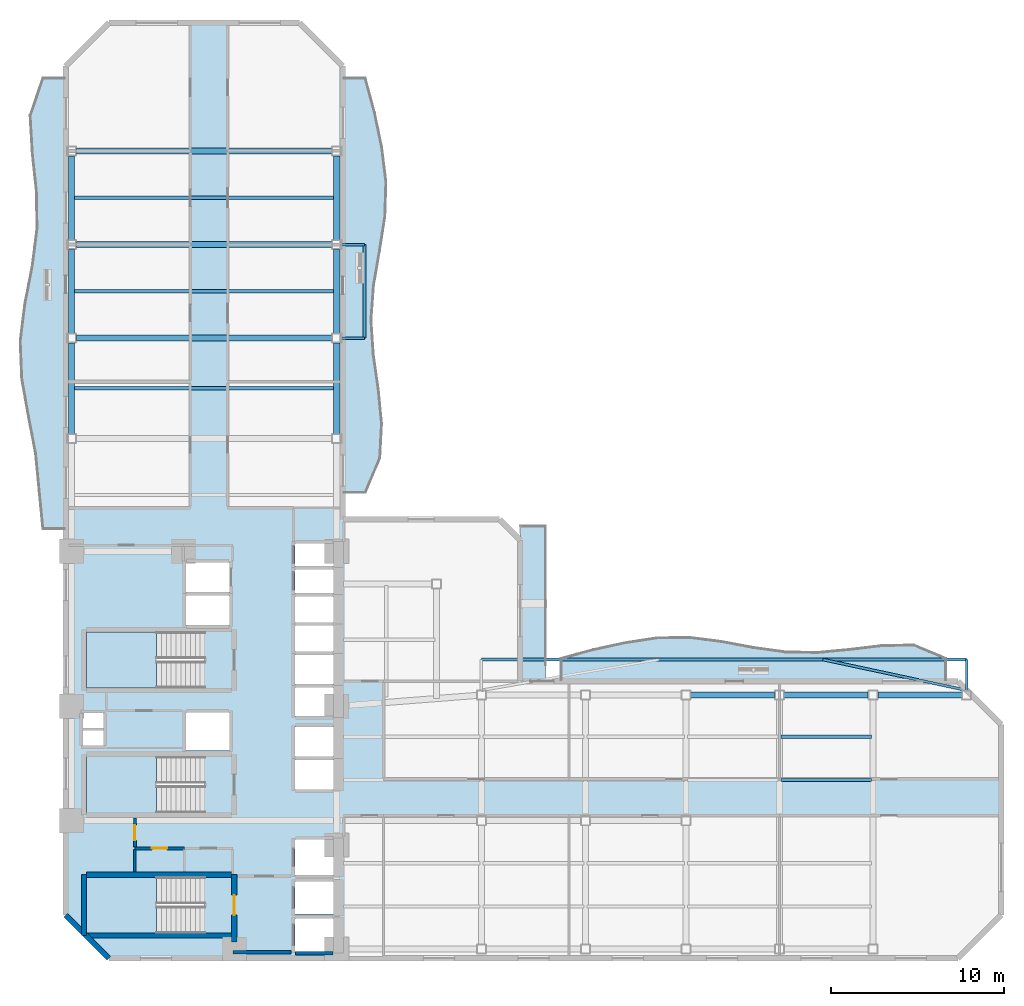
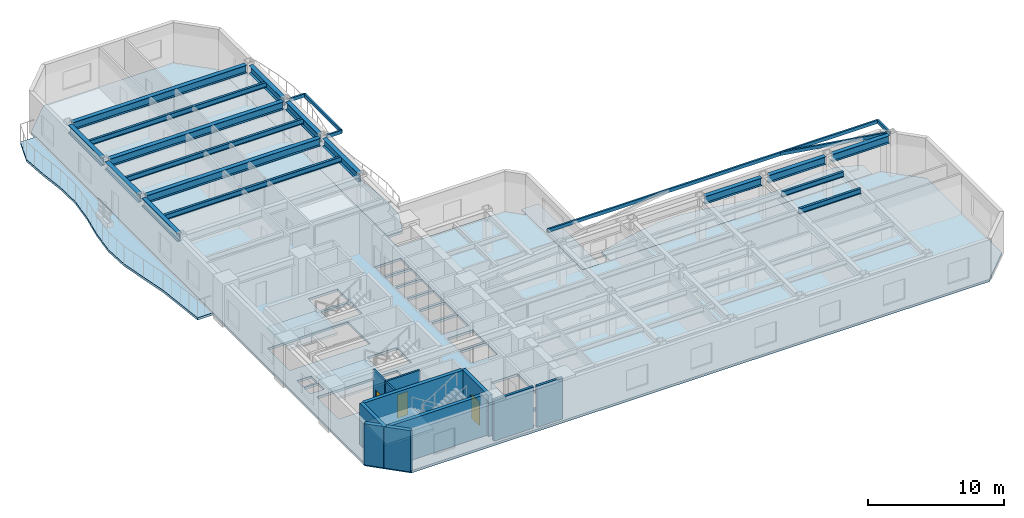
# One storey, part 2 of 11: 23 beams, 10 walls, 8 slabs, 3 doors, 3 openings, 3 elements without a shape of their own.
"""IFC4 building model written with IfcOpenShell, lengths in metres."""

from ifc_helpers import new_model, si_unit, direction, frame, frame_2d, origin, origin_2d, place, context, subcontext, project, spatial, polyline, rectangle, hollow_rectangle, i_section, outline, extrude, material, layer, layer_set, material_profile, profile_set, type_object, element, fill, aggregate, save


model = new_model("IFC4")

# Units and contexts
model_context = context("Model", 3, precision=1e-05, world=origin(), true_north=direction((0.0, 1.0)))
body_context = subcontext(model_context, "Body", "Model", "MODEL_VIEW")
ifc_project = project(units=[si_unit("LENGTHUNIT", "METRE"), si_unit("AREAUNIT", "SQUARE_METRE"), si_unit("VOLUMEUNIT", "CUBIC_METRE"), si_unit("PLANEANGLEUNIT", "RADIAN"), si_unit("MASSUNIT", "GRAM", prefix="KILO")], contexts=[model_context])

# Site, building, storey
site_placement = place(None, origin())
site = spatial("IfcSite", under=ifc_project, at=site_placement, CompositionType="ELEMENT")
building_placement = place(site_placement, origin())
building = spatial("IfcBuilding", under=site, at=building_placement, Name="Mawjaban Terraces University", CompositionType="ELEMENT")
storey_placement = place(building_placement, frame((0.0, 0.0, 77.800048828125)))
storey = spatial("IfcBuildingStorey", under=building, at=storey_placement, Name="L18", CompositionType="ELEMENT", Elevation=77.800048828125)

# Beams
ifc_material_1 = material(Name="Steel EN 10210-1 S355J2H", Category="steel")
ifc_material_profile_1 = material_profile(ifc_material_1, hollow_rectangle(XDim=0.14990234375, YDim=0.300048828125, WallThickness=0.012451171875, at=origin_2d()), Name="RHS300X150X12.5")
ifc_profile_set_1 = profile_set([ifc_material_profile_1], Name="Steel EN 10210-1 S355J2H")
beam_type_1 = type_object("IfcBeamType", Name="BalconyCantileverSpandrel_RHS", PredefinedType="SPANDREL", material=ifc_profile_set_1)
beam_1_placement = place(storey_placement, frame((74.0, 15.47509765625, 3.5400390625), z_axis=(0.0, 1.0, 0.0), x_axis=(-1.0, 0.0, 0.0)))
element("IfcBeam", 1, at=beam_1_placement, inside=storey, type_object=beam_type_1, Name="L18 Exterior Outrigger BAL-L19-N.2", PredefinedType="SPANDREL", context=body_context, shape_type="SweptSolid", body=[
    extrude(hollow_rectangle(XDim=0.14990234375, YDim=0.300048828125, WallThickness=0.012451171875, at=origin_2d()), origin(), (0.0, 0.0, 1.0), 1.77490234375),
])
beam_2_placement = place(storey_placement, frame((46.0, 17.25, 3.5400390625), z_axis=(1.0, 0.0, 0.0), x_axis=(0.0, 1.0, 0.0)))
element("IfcBeam", 2, at=beam_2_placement, inside=storey, type_object=beam_type_1, Name="L18 Exterior Edge Spandrel BAL-L19-N", PredefinedType="SPANDREL", context=body_context, shape_type="SweptSolid", body=[
    extrude(hollow_rectangle(XDim=0.14990234375, YDim=0.300048828125, WallThickness=0.012451171875, at=origin_2d()), origin(), (0.0, 0.0, 1.0), 28.0),
])
beam_3_placement = place(storey_placement, frame((74.0, 15.47509765625, 3.5400390625), z_axis=(-0.977864706332, 0.209238180334, 0.0), x_axis=(-0.209238180334, -0.977864706332, 0.0)))
element("IfcBeam", 3, at=beam_3_placement, inside=storey, type_object=beam_type_1, Name="L18 Exterior Diagonal Strut BAL-L19-N.2", PredefinedType="SPANDREL", context=body_context, shape_type="SweptSolid", body=[
    extrude(hollow_rectangle(XDim=0.14990234375, YDim=0.300048828125, WallThickness=0.012451171875, at=origin_2d()), origin(), (0.0, 0.0, 1.0), 8.482666015625),
])
for number, where, z_axis, x_axis, name in (
    (4, (37.925048828125, 35.800048828125, 3.5400390625), (1.0, 0.0, 0.0), (0.0, 1.0, 0.0), "L18 Exterior Outrigger BAL-L19-E.1"),
    (5, (37.925048828125, 41.199951171875, 3.5400390625), (1.0, 0.0, 0.0), (0.0, 1.0, 0.0), "L18 Exterior Outrigger BAL-L19-E.2"),
):
    element("IfcBeam", number, at=place(storey_placement, frame(where, z_axis=z_axis, x_axis=x_axis)), inside=storey, type_object=beam_type_1, Name=name, PredefinedType="SPANDREL", context=body_context, shape_type="SweptSolid", body=[
        extrude(hollow_rectangle(XDim=0.14990234375, YDim=0.300048828125, WallThickness=0.012451171875, at=origin_2d()), origin(), (0.0, 0.0, 1.0), 1.324951171875),
    ])
beam_4_placement = place(storey_placement, frame((39.25, 35.800048828125, 3.5400390625), z_axis=(0.0, 1.0, 0.0), x_axis=(-1.0, 0.0, 0.0)))
element("IfcBeam", 6, at=beam_4_placement, inside=storey, type_object=beam_type_1, Name="L18 Exterior Edge Spandrel BAL-L19-E", PredefinedType="SPANDREL", context=body_context, shape_type="SweptSolid", body=[
    extrude(hollow_rectangle(XDim=0.14990234375, YDim=0.300048828125, WallThickness=0.012451171875, at=origin_2d()), origin(), (0.0, 0.0, 1.0), 5.39990234375),
])
ifc_material_2 = material(Name="Steel ASTM A572 Grade 50", Category="steel")
ifc_material_profile_2 = material_profile(ifc_material_2, i_section(OverallWidth=0.35498046875, OverallDepth=0.695068359375, WebThickness=0.015380859375, FlangeThickness=0.02490234375, at=origin_2d()), Name="W690X217")
ifc_profile_set_2 = profile_set([ifc_material_profile_2], Name="Steel ASTM A572 Grade 50")
beam_type_2 = type_object("IfcBeamType", Name="Beam_B_W690X217", PredefinedType="BEAM", material=ifc_profile_set_2)
beam_5_placement = place(storey_placement, frame((58.074951171875, 15.199951171875, 3.342041015625), z_axis=(1.0, 0.0, 0.0), x_axis=(0.0, 1.0, 0.0)))
element("IfcBeam", 7, at=beam_5_placement, inside=storey, type_object=beam_type_2, Name="L18 Beam BM-L18-EW-11", PredefinedType="BEAM", context=body_context, shape_type="SweptSolid", body=[
    extrude(i_section(OverallWidth=0.35498046875, OverallDepth=0.695068359375, WebThickness=0.015380859375, FlangeThickness=0.02490234375, at=origin_2d()), origin(), (0.0, 0.0, 1.0), 4.85009765625),
])
beam_6_placement = place(storey_placement, frame((63.47509765625, 15.199951171875, 3.342041015625), z_axis=(1.0, 0.0, 0.0), x_axis=(0.0, 1.0, 0.0)))
element("IfcBeam", 8, at=beam_6_placement, inside=storey, type_object=beam_type_2, Name="L18 Beam BM-L18-EW-12", PredefinedType="BEAM", context=body_context, shape_type="SweptSolid", body=[
    extrude(i_section(OverallWidth=0.35498046875, OverallDepth=0.695068359375, WebThickness=0.015380859375, FlangeThickness=0.02490234375, at=origin_2d()), origin(), (0.0, 0.0, 1.0), 4.849853515625),
])
beam_7_placement = place(storey_placement, frame((68.875, 15.199951171875, 3.342041015625), z_axis=(1.0, 0.0, 0.0), x_axis=(0.0, 1.0, 0.0)))
element("IfcBeam", 9, at=beam_7_placement, inside=storey, type_object=beam_type_2, Name="L18 Beam BM-L18-EW-13", PredefinedType="BEAM", context=body_context, shape_type="SweptSolid", body=[
    extrude(i_section(OverallWidth=0.35498046875, OverallDepth=0.695068359375, WebThickness=0.015380859375, FlangeThickness=0.02490234375, at=origin_2d()), origin(), (0.0, 0.0, 1.0), 4.85009765625),
])
for number, where, z_axis, x_axis, name in (
    (10, (22.625, 35.800048828125, 3.342041015625), (1.0, 0.0, 0.0), (0.0, 1.0, 0.0), "L18 Beam BM-L18-EW-16"),
    (11, (22.625, 41.199951171875, 3.342041015625), (1.0, 0.0, 0.0), (0.0, 1.0, 0.0), "L18 Beam BM-L18-EW-17"),
    (12, (22.625, 46.60009765625, 3.342041015625), (1.0, 0.0, 0.0), (0.0, 1.0, 0.0), "L18 Beam BM-L18-EW-18"),
):
    element("IfcBeam", number, at=place(storey_placement, frame(where, z_axis=z_axis, x_axis=x_axis)), inside=storey, type_object=beam_type_2, Name=name, PredefinedType="BEAM", context=body_context, shape_type="SweptSolid", body=[
        extrude(i_section(OverallWidth=0.35498046875, OverallDepth=0.695068359375, WebThickness=0.015380859375, FlangeThickness=0.02490234375, at=origin_2d()), origin(), (0.0, 0.0, 1.0), 14.75),
    ])
beam_8_placement = place(storey_placement, frame((22.35009765625, 30.27490234375, 3.342041015625), z_axis=(0.0, 1.0, 0.0), x_axis=(-1.0, 0.0, 0.0)))
element("IfcBeam", 13, at=beam_8_placement, inside=storey, type_object=beam_type_2, Name="L18 Beam BM-L18-NS-04", PredefinedType="BEAM", context=body_context, shape_type="SweptSolid", body=[
    extrude(i_section(OverallWidth=0.35498046875, OverallDepth=0.695068359375, WebThickness=0.015380859375, FlangeThickness=0.02490234375, at=origin_2d()), origin(), (0.0, 0.0, 1.0), 5.25),
])
beam_9_placement = place(storey_placement, frame((22.35009765625, 36.074951171875, 3.342041015625), z_axis=(0.0, 1.0, 0.0), x_axis=(-1.0, 0.0, 0.0)))
element("IfcBeam", 14, at=beam_9_placement, inside=storey, type_object=beam_type_2, Name="L18 Beam BM-L18-NS-05", PredefinedType="BEAM", context=body_context, shape_type="SweptSolid", body=[
    extrude(i_section(OverallWidth=0.35498046875, OverallDepth=0.695068359375, WebThickness=0.015380859375, FlangeThickness=0.02490234375, at=origin_2d()), origin(), (0.0, 0.0, 1.0), 4.85009765625),
])
beam_10_placement = place(storey_placement, frame((22.35009765625, 41.47509765625, 3.342041015625), z_axis=(0.0, 1.0, 0.0), x_axis=(-1.0, 0.0, 0.0)))
element("IfcBeam", 15, at=beam_10_placement, inside=storey, type_object=beam_type_2, Name="L18 Beam BM-L18-NS-06", PredefinedType="BEAM", context=body_context, shape_type="SweptSolid", body=[
    extrude(i_section(OverallWidth=0.35498046875, OverallDepth=0.695068359375, WebThickness=0.015380859375, FlangeThickness=0.02490234375, at=origin_2d()), origin(), (0.0, 0.0, 1.0), 4.849853515625),
])
beam_11_placement = place(storey_placement, frame((37.64990234375, 30.27490234375, 3.342041015625), z_axis=(0.0, 1.0, 0.0), x_axis=(-1.0, 0.0, 0.0)))
element("IfcBeam", 16, at=beam_11_placement, inside=storey, type_object=beam_type_2, Name="L18 Beam BM-L18-NS-11", PredefinedType="BEAM", context=body_context, shape_type="SweptSolid", body=[
    extrude(i_section(OverallWidth=0.35498046875, OverallDepth=0.695068359375, WebThickness=0.015380859375, FlangeThickness=0.02490234375, at=origin_2d()), origin(), (0.0, 0.0, 1.0), 5.25),
])
beam_12_placement = place(storey_placement, frame((37.64990234375, 36.074951171875, 3.342041015625), z_axis=(0.0, 1.0, 0.0), x_axis=(-1.0, 0.0, 0.0)))
element("IfcBeam", 17, at=beam_12_placement, inside=storey, type_object=beam_type_2, Name="L18 Beam BM-L18-NS-12", PredefinedType="BEAM", context=body_context, shape_type="SweptSolid", body=[
    extrude(i_section(OverallWidth=0.35498046875, OverallDepth=0.695068359375, WebThickness=0.015380859375, FlangeThickness=0.02490234375, at=origin_2d()), origin(), (0.0, 0.0, 1.0), 4.85009765625),
])
beam_13_placement = place(storey_placement, frame((37.64990234375, 41.47509765625, 3.342041015625), z_axis=(0.0, 1.0, 0.0), x_axis=(-1.0, 0.0, 0.0)))
element("IfcBeam", 18, at=beam_13_placement, inside=storey, type_object=beam_type_2, Name="L18 Beam BM-L18-NS-13", PredefinedType="BEAM", context=body_context, shape_type="SweptSolid", body=[
    extrude(i_section(OverallWidth=0.35498046875, OverallDepth=0.695068359375, WebThickness=0.015380859375, FlangeThickness=0.02490234375, at=origin_2d()), origin(), (0.0, 0.0, 1.0), 4.849853515625),
])
ifc_material_profile_3 = material_profile(ifc_material_2, i_section(OverallWidth=0.19189453125, OverallDepth=0.462890625, WebThickness=0.010498046875, FlangeThickness=0.017578125, at=origin_2d()), Name="W460X89")
ifc_profile_set_3 = profile_set([ifc_material_profile_3], Name="Steel ASTM A572 Grade 50")
beam_type_3 = type_object("IfcBeamType", Name="Beam_J_W460X89", PredefinedType="JOIST", material=ifc_profile_set_3)
for number, where, z_axis, x_axis, name in (
    (19, (63.280029296875, 10.300048828125, 3.4580078125), (1.0, 0.0, 0.0), (0.0, 1.0, 0.0), "L18 Composite Joist JST-L18-15"),
    (20, (63.280029296875, 12.800048828125, 3.4580078125), (1.0, 0.0, 0.0), (0.0, 1.0, 0.0), "L18 Composite Joist JST-L18-20"),
):
    element("IfcBeam", number, at=place(storey_placement, frame(where, z_axis=z_axis, x_axis=x_axis)), inside=storey, type_object=beam_type_3, Name=name, PredefinedType="JOIST", context=body_context, shape_type="SweptSolid", body=[
        extrude(i_section(OverallWidth=0.19189453125, OverallDepth=0.462890625, WebThickness=0.010498046875, FlangeThickness=0.017578125, at=origin_2d()), origin(), (0.0, 0.0, 1.0), 5.239990234375),
    ])
for number, where, z_axis, x_axis, name in (
    (21, (22.429931640625, 32.89990234375, 3.4580078125), (1.0, 0.0, 0.0), (0.0, 1.0, 0.0), "L18 Composite Joist JST-L18-23"),
    (22, (22.429931640625, 38.5, 3.4580078125), (1.0, 0.0, 0.0), (0.0, 1.0, 0.0), "L18 Composite Joist JST-L18-24"),
    (23, (22.429931640625, 43.89990234375, 3.4580078125), (1.0, 0.0, 0.0), (0.0, 1.0, 0.0), "L18 Composite Joist JST-L18-25"),
):
    element("IfcBeam", number, at=place(storey_placement, frame(where, z_axis=z_axis, x_axis=x_axis)), inside=storey, type_object=beam_type_3, Name=name, PredefinedType="JOIST", context=body_context, shape_type="SweptSolid", body=[
        extrude(i_section(OverallWidth=0.19189453125, OverallDepth=0.462890625, WebThickness=0.010498046875, FlangeThickness=0.017578125, at=origin_2d()), origin(), (0.0, 0.0, 1.0), 15.14013671875),
    ])

# Slabs
ifc_material_3 = material(Name="Concrete C40/50", Category="concrete")
ifc_layer_1 = layer(ifc_material_3, 0.2099609375)
ifc_layer_set_1 = layer_set([ifc_layer_1], Name="Concrete C40/50")
slab_type_1 = type_object("IfcSlabType", Name="BalconySlab_210_Ext", PredefinedType="FLOOR", material=ifc_layer_set_1)
slab_1_placement = place(storey_placement, frame((0.0, 0.0, -0.2099609375)))
element("IfcSlab", 24, at=slab_1_placement, inside=storey, type_object=slab_type_1, Name="L18 Planted Balcony Slab west", PredefinedType="FLOOR", context=body_context, shape_type="SweptSolid", body=[
    extrude(outline(polyline([(22.010009765625, 24.800048828125), (22.010009765625, 50.800048828125), (20.699951171875, 50.800048828125), (19.966064453125, 48.633056640625), (20.090087890625, 46.467041015625), (20.324951171875, 44.300048828125), (20.363037109375, 42.133056640625), (20.087890625, 39.967041015625), (19.6630859375, 37.800048828125), (19.39306640625, 35.633056640625), (19.48095703125, 33.467041015625), (19.864990234375, 31.300048828125), (20.280029296875, 29.133056640625), (20.489013671875, 26.967041015625), (20.699951171875, 24.800048828125), (22.010009765625, 24.800048828125)])), origin(), (0.0, 0.0, 1.0), 0.2099609375),
])
slab_2_placement = place(storey_placement, frame((0.0, 0.0, -0.2099609375)))
element("IfcSlab", 25, at=slab_2_placement, inside=storey, type_object=slab_type_1, Name="L18 Planted Balcony Slab inner_north", PredefinedType="FLOOR", context=body_context, shape_type="SweptSolid", body=[
    extrude(outline(polyline([(50.60009765625, 15.989990234375), (72.800048828125, 15.989990234375), (72.800048828125, 17.300048828125), (70.949951171875, 18.076904296875), (69.10009765625, 18.0390625), (67.25, 17.821044921875), (65.39990234375, 17.64404296875), (63.550048828125, 17.675048828125), (61.699951171875, 17.931884765625), (59.85009765625, 18.279052734375), (58.0, 18.512939453125), (56.14990234375, 18.489013671875), (54.300048828125, 18.2080078125), (52.449951171875, 17.806884765625), (50.60009765625, 17.300048828125), (50.60009765625, 15.989990234375)])), origin(), (0.0, 0.0, 1.0), 0.2099609375),
])
slab_3_placement = place(storey_placement, frame((0.0, 0.0, -0.2099609375)))
element("IfcSlab", 26, at=slab_3_placement, inside=storey, type_object=slab_type_1, Name="L18 Planted Balcony Slab inner_east", PredefinedType="FLOOR", context=body_context, shape_type="SweptSolid", body=[
    extrude(outline(polyline([(39.300048828125, 26.889892578125), (40.14111328125, 28.883056640625), (40.2451171875, 30.875), (40.051025390625, 32.866943359375), (39.76611328125, 34.860107421875), (39.633056640625, 36.85205078125), (39.780029296875, 38.844970703125), (40.123046875, 40.8369140625), (40.43505859375, 42.830078125), (40.49609375, 44.822021484375), (40.2509765625, 46.81494140625), (39.8359375, 48.806884765625), (39.300048828125, 50.800048828125), (37.989990234375, 50.800048828125), (37.989990234375, 26.889892578125), (39.300048828125, 26.889892578125)])), origin(), (0.0, 0.0, 1.0), 0.2099609375),
])
ifc_layer_2 = layer(ifc_material_3, 0.2099609375)
ifc_layer_set_2 = layer_set([ifc_layer_2], Name="Concrete C40/50")
slab_type_2 = type_object("IfcSlabType", Name="CompositeSlab_210", PredefinedType="FLOOR", material=ifc_layer_set_2)
slab_4_placement = place(storey_placement, frame((0.0, 0.0, -0.2099609375)))
element("IfcSlab", 27, at=slab_4_placement, inside=storey, type_object=slab_type_2, Name="L18 Primary Structural Slab", PredefinedType="FLOOR", context=body_context, shape_type="SweptSolid", body=[
    extrude(outline(polyline([(24.5, 0.0), (73.5, 0.0), (76.0, 2.5), (76.0, 13.5), (73.5, 16.0), (48.25, 16.0), (48.25, 24.136962890625), (47.050048828125, 25.3369140625), (38.0, 25.3369140625), (38.0, 51.5), (35.5, 54.0), (24.5, 54.0), (22.0, 51.5), (22.0, 2.5), (24.5, 0.0)]), holes=[polyline([(30.014892578125, 4.699951171875), (23.199951171875, 4.699951171875), (23.199951171875, 1.449951171875), (30.014892578125, 1.449951171875), (30.014892578125, 4.699951171875)]), polyline([(30.014892578125, 18.85009765625), (23.199951171875, 18.85009765625), (23.199951171875, 15.60009765625), (30.014892578125, 15.60009765625), (30.014892578125, 18.85009765625)]), polyline([(30.014892578125, 11.64990234375), (23.199951171875, 11.64990234375), (23.199951171875, 8.39990234375), (30.014892578125, 8.39990234375), (30.014892578125, 11.64990234375)]), polyline([(35.25, 0.39990234375), (37.449951171875, 0.39990234375), (37.449951171875, 2.300048828125), (35.25, 2.300048828125), (35.25, 0.39990234375)]), polyline([(35.25, 2.550048828125), (37.449951171875, 2.550048828125), (37.449951171875, 4.449951171875), (35.25, 4.449951171875), (35.25, 2.550048828125)]), polyline([(35.25, 4.800048828125), (37.449951171875, 4.800048828125), (37.449951171875, 6.85009765625), (35.25, 6.85009765625), (35.25, 4.800048828125)]), polyline([(35.25, 9.75), (37.449951171875, 9.75), (37.449951171875, 11.449951171875), (35.25, 11.449951171875), (35.25, 9.75)]), polyline([(35.25, 11.64990234375), (37.449951171875, 11.64990234375), (37.449951171875, 13.35009765625), (35.25, 13.35009765625), (35.25, 11.64990234375)]), polyline([(28.949951171875, 12.0), (31.449951171875, 12.0), (31.449951171875, 14.199951171875), (28.949951171875, 14.199951171875), (28.949951171875, 12.0)]), polyline([(35.25, 14.0), (37.449951171875, 14.0), (37.449951171875, 15.64990234375), (35.25, 15.64990234375), (35.25, 14.0)]), polyline([(35.25, 15.85009765625), (37.449951171875, 15.85009765625), (37.449951171875, 17.5), (35.25, 17.5), (35.25, 15.85009765625)]), polyline([(35.25, 17.699951171875), (37.449951171875, 17.699951171875), (37.449951171875, 19.199951171875), (35.25, 19.199951171875), (35.25, 17.699951171875)]), polyline([(35.25, 19.39990234375), (37.449951171875, 19.39990234375), (37.449951171875, 20.89990234375), (35.25, 20.89990234375), (35.25, 19.39990234375)]), polyline([(28.949951171875, 19.25), (31.449951171875, 19.25), (31.449951171875, 20.949951171875), (28.949951171875, 20.949951171875), (28.949951171875, 19.25)]), polyline([(35.25, 21.10009765625), (37.449951171875, 21.10009765625), (37.449951171875, 22.449951171875), (35.25, 22.449951171875), (35.25, 21.10009765625)]), polyline([(35.25, 22.64990234375), (37.449951171875, 22.64990234375), (37.449951171875, 23.949951171875), (35.25, 23.949951171875), (35.25, 22.64990234375)]), polyline([(28.949951171875, 21.14990234375), (31.449951171875, 21.14990234375), (31.449951171875, 22.85009765625), (28.949951171875, 22.85009765625), (28.949951171875, 21.14990234375)]), polyline([(23.0, 12.25), (24.199951171875, 12.25), (24.199951171875, 13.14990234375), (23.0, 13.14990234375), (23.0, 12.25)]), polyline([(23.0, 13.300048828125), (24.199951171875, 13.300048828125), (24.199951171875, 14.179931640625), (23.0, 14.179931640625), (23.0, 13.300048828125)])]), origin(), (0.0, 0.0, 1.0), 0.2099609375),
])

# Stair, slab
stair_type = type_object("IfcStairType", Name="Stair_Core1550_H39", PredefinedType="HALF_TURN_STAIR", material=ifc_material_3)
stair_1_placement = place(storey_placement, origin())
stair_1 = element("IfcStair", 28, at=stair_1_placement, inside=storey, type_object=stair_type, Name="L18 Core Exit Stair 1", PredefinedType="HALF_TURN_STAIR")
ifc_layer_3 = layer(ifc_material_3, 0.199951171875)
ifc_layer_set_3 = layer_set([ifc_layer_3], Name="Concrete C40/50")
slab_type_3 = type_object("IfcSlabType", Name="StairLandingSlab_200", PredefinedType="LANDING", material=ifc_layer_set_3)
slab_5_placement = place(storey_placement, frame((0.0, 0.0, 1.75)))
slab_5 = element("IfcSlab", 29, at=slab_5_placement, type_object=slab_type_3, Name="ST-1 landing 1", PredefinedType="LANDING", context=body_context, shape_type="SweptSolid", body=[
    extrude(outline(polyline([(27.25, 4.699951171875), (23.199951171875, 4.699951171875), (23.199951171875, 1.449951171875), (27.25, 1.449951171875), (27.25, 4.699951171875)])), origin(), (0.0, 0.0, 1.0), 0.199951171875),
])
aggregate(stair_1, [slab_5])

stair_2_placement = place(storey_placement, origin())
stair_2 = element("IfcStair", 30, at=stair_2_placement, inside=storey, type_object=stair_type, Name="L18 Core Exit Stair 2", PredefinedType="HALF_TURN_STAIR")
slab_6_placement = place(storey_placement, frame((0.0, 0.0, 1.75)))
slab_6 = element("IfcSlab", 31, at=slab_6_placement, type_object=slab_type_3, Name="ST-2 landing 1", PredefinedType="LANDING", context=body_context, shape_type="SweptSolid", body=[
    extrude(outline(polyline([(27.25, 18.85009765625), (23.199951171875, 18.85009765625), (23.199951171875, 15.60009765625), (27.25, 15.60009765625), (27.25, 18.85009765625)])), origin(), (0.0, 0.0, 1.0), 0.199951171875),
])
aggregate(stair_2, [slab_6])

stair_3_placement = place(storey_placement, origin())
stair_3 = element("IfcStair", 32, at=stair_3_placement, inside=storey, type_object=stair_type, Name="L18 Core Exit Stair 3", PredefinedType="HALF_TURN_STAIR")
slab_7_placement = place(storey_placement, frame((0.0, 0.0, 1.75)))
slab_7 = element("IfcSlab", 33, at=slab_7_placement, type_object=slab_type_3, Name="ST-3 landing 1", PredefinedType="LANDING", context=body_context, shape_type="SweptSolid", body=[
    extrude(outline(polyline([(27.25, 11.64990234375), (23.199951171875, 11.64990234375), (23.199951171875, 8.39990234375), (27.25, 8.39990234375), (27.25, 11.64990234375)])), origin(), (0.0, 0.0, 1.0), 0.199951171875),
])
aggregate(stair_3, [slab_7])

# Slab
ifc_layer_4 = layer(ifc_material_3, 0.2099609375)
ifc_layer_set_4 = layer_set([ifc_layer_4], Name="Concrete C40/50")
slab_type_4 = type_object("IfcSlabType", Name="StudyTerraceSlab_210_Ext", PredefinedType="FLOOR", material=ifc_layer_set_4)
slab_8_placement = place(storey_placement, frame((0.0, 0.0, -0.2099609375)))
element("IfcSlab", 34, at=slab_8_placement, inside=storey, type_object=slab_type_4, Name="L18 Exterior Study Terrace Slab", PredefinedType="FLOOR", context=body_context, shape_type="SweptSolid", body=[
    extrude(outline(polyline([(48.25, 16.0), (49.699951171875, 16.0), (49.699951171875, 24.93701171875), (48.25, 24.93701171875), (48.25, 16.0)])), origin(), (0.0, 0.0, 1.0), 0.2099609375),
])

# Wall, opening, door
ifc_material_4 = material(Name="Fire-rated gypsum board on steel stud", Category="steel")
ifc_layer_5 = layer(ifc_material_4, 0.159912109375)
ifc_layer_set_5 = layer_set([ifc_layer_5], Name="Fire-rated gypsum board on steel stud")
wall_type_1 = type_object("IfcWallType", Name="CorridorPartition_160", PredefinedType="PARTITIONING", material=ifc_layer_set_5)
wall_1_placement = place(storey_placement, frame((26.0, 6.35009765625, 0.0), z_axis=(0.0, 0.0, 1.0), x_axis=(1.0, 0.0, 0.0)))
wall_1 = element("IfcWall", 35, at=wall_1_placement, inside=storey, type_object=wall_type_1, Name="L18 Core Washroom Lobby Partition 3", PredefinedType="PARTITIONING", context=body_context, shape_type="SweptSolid", body=[
    extrude(rectangle(XDim=2.85009765625, YDim=0.159912109375, at=frame_2d((1.425048828125, 0.0))), origin(), (0.0, 0.0, 1.0), 3.68994140625),
])
opening_1_placement = place(wall_1_placement, frame((0.985107421875, 0.0, 0.0)))
opening_1 = element("IfcOpeningElement", 36, at=opening_1_placement, cuts=wall_1, Name="Opening ID-088", PredefinedType="OPENING", context=body_context, shape_type="SweptSolid", body=[
    extrude(rectangle(XDim=0.8798828125, YDim=2.10009765625, at=frame_2d((0.43994140625, 1.050048828125))), frame((0.0, 0.08984375, 0.0), z_axis=(0.0, -1.0, 0.0), x_axis=(1.0, 0.0, 0.0)), (0.0, 0.0, 1.0), 0.179931640625),
])
ifc_material_5 = material(Name="Powder-coated steel frame and solid acoustic timber leaf", Category="steel")
door_type_1 = type_object("IfcDoorType", Name="ToiletDoor_880x2100", OperationType="NOTDEFINED", PredefinedType="DOOR", material=ifc_material_5)
door_1_placement = place(opening_1_placement, origin())
door_1 = element("IfcDoor", 37, at=door_1_placement, inside=storey, type_object=door_type_1, Name="L18 Male Toilet Door", OperationType="SINGLE_SWING_RIGHT", OverallHeight=2.10009765625, OverallWidth=0.8798828125, PredefinedType="DOOR", context=body_context, shape_type="SweptSolid", body=[
    extrude(rectangle(XDim=0.8798828125, YDim=2.10009765625, at=frame_2d((0.43994140625, 1.050048828125))), frame((0.0, 0.02490234375, 0.0), z_axis=(0.0, -1.0, 0.0), x_axis=(1.0, 0.0, 0.0)), (0.0, 0.0, 1.0), 0.050048828125),
])
fill(opening_1, door_1)

wall_2_placement = place(storey_placement, frame((26.0, 8.090087890625, 0.0), z_axis=(0.0, 0.0, 1.0), x_axis=(0.0, -1.0, 0.0)))
wall_2 = element("IfcWall", 38, at=wall_2_placement, inside=storey, type_object=wall_type_1, Name="L18 Core Washroom Lobby Partition 29", PredefinedType="PARTITIONING", context=body_context, shape_type="SweptSolid", body=[
    extrude(rectangle(XDim=1.6650390625, YDim=0.159912109375, at=frame_2d((0.83251953125, 0.0))), origin(), (0.0, 0.0, 1.0), 3.68994140625),
])
opening_2_placement = place(wall_2_placement, frame((0.39306640625, 0.0, 0.0)))
opening_2 = element("IfcOpeningElement", 39, at=opening_2_placement, cuts=wall_2, Name="Opening ID-088", PredefinedType="OPENING", context=body_context, shape_type="SweptSolid", body=[
    extrude(rectangle(XDim=0.8798828125, YDim=2.10009765625, at=frame_2d((0.43994140625, 1.050048828125))), frame((0.0, 0.08984375, 0.0), z_axis=(0.0, -1.0, 0.0), x_axis=(1.0, 0.0, 0.0)), (0.0, 0.0, 1.0), 0.179931640625),
])
door_2_placement = place(opening_2_placement, origin())
door_2 = element("IfcDoor", 40, at=door_2_placement, inside=storey, type_object=door_type_1, Name="L18 Ablution Room Door", OperationType="SINGLE_SWING_LEFT", OverallHeight=2.10009765625, OverallWidth=0.8798828125, PredefinedType="DOOR", context=body_context, shape_type="SweptSolid", body=[
    extrude(rectangle(XDim=0.8798828125, YDim=2.10009765625, at=frame_2d((0.43994140625, 1.050048828125))), frame((0.0, 0.02490234375, 0.0), z_axis=(0.0, -1.0, 0.0), x_axis=(1.0, 0.0, 0.0)), (0.0, 0.0, 1.0), 0.050048828125),
])
fill(opening_2, door_2)

# Walls
ifc_material_6 = material(Name="Insulated terracotta rainscreen on concrete backup C40/50", Category="masonry")
ifc_layer_6 = layer(ifc_material_6, 0.320068359375)
ifc_layer_set_6 = layer_set([ifc_layer_6], Name="Insulated terracotta rainscreen on concrete backup C40/50")
wall_type_2 = type_object("IfcWallType", Name="ExtTerracottaWall_320", PredefinedType="SOLIDWALL", material=ifc_layer_set_6)
wall_3_placement = place(storey_placement, frame((22.0, 2.5, 0.0), z_axis=(0.0, 0.0, 1.0), x_axis=(0.707106781187, -0.707106781187, 0.0)))
element("IfcWall", 41, at=wall_3_placement, inside=storey, type_object=wall_type_2, Name="L18 Exterior Terracotta Wall 14", PredefinedType="SOLIDWALL", context=body_context, shape_type="SweptSolid", body=[
    extrude(rectangle(XDim=3.53564453125, YDim=0.320068359375, at=frame_2d((1.767822265625, 0.0))), origin(), (0.0, 0.0, 1.0), 3.68994140625),
])
ifc_layer_7 = layer(ifc_material_3, 0.199951171875)
ifc_layer_set_7 = layer_set([ifc_layer_7], Name="Concrete C40/50")
wall_type_3 = type_object("IfcWallType", Name="FireLobbyWall_200", PredefinedType="SOLIDWALL", material=ifc_layer_set_7)
wall_4_placement = place(storey_placement, frame((35.280029296875, 0.300048828125, 0.0), z_axis=(0.0, 0.0, 1.0), x_axis=(1.0, 0.0, 0.0)))
element("IfcWall", 42, at=wall_4_placement, inside=storey, type_object=wall_type_3, Name="L18 Lift FL-1 Hoistway Wall South", PredefinedType="SOLIDWALL", context=body_context, shape_type="SweptSolid", body=[
    extrude(rectangle(XDim=2.139892578125, YDim=0.199951171875, at=frame_2d((1.06982421875, 0.0))), origin(), (0.0, 0.0, 1.0), 3.68994140625),
])
wall_5_placement = place(storey_placement, frame((31.64990234375, 0.35009765625, 0.0), z_axis=(0.0, 0.0, 1.0), x_axis=(1.0, 0.0, 0.0)))
element("IfcWall", 43, at=wall_5_placement, inside=storey, type_object=wall_type_3, Name="L18 Firefighting Lift Lobby Partition 11", PredefinedType="SOLIDWALL", context=body_context, shape_type="SweptSolid", body=[
    extrude(rectangle(XDim=3.3701171875, YDim=0.199951171875, at=frame_2d((1.68505859375, 0.0))), origin(), (0.0, 0.0, 1.0), 3.68994140625),
])
ifc_material_7 = material(Name="Concrete C60/75", Category="concrete")
ifc_layer_8 = layer(ifc_material_7, 0.300048828125)
ifc_layer_set_8 = layer_set([ifc_layer_8], Name="Concrete C60/75")
wall_type_4 = type_object("IfcWallType", Name="StairShaftWall_300", PredefinedType="SHEAR", material=ifc_layer_set_8)
wall_6_placement = place(storey_placement, frame((31.580078125, 4.830078125, 0.0), z_axis=(0.0, 0.0, 1.0), x_axis=(-1.0, 0.0, 0.0)))
element("IfcWall", 44, at=wall_6_placement, inside=storey, type_object=wall_type_4, Name="L18 ST-1 Stair Shaft Wall 1", PredefinedType="SHEAR", context=body_context, shape_type="SweptSolid", body=[
    extrude(rectangle(XDim=8.360107421875, YDim=0.300048828125, at=frame_2d((4.18017578125, 0.0))), origin(), (0.0, 0.0, 1.0), 3.68994140625),
])
wall_7_placement = place(storey_placement, frame((23.070068359375, 4.830078125, 0.0), z_axis=(0.0, 0.0, 1.0), x_axis=(0.0, -1.0, 0.0)))
element("IfcWall", 45, at=wall_7_placement, inside=storey, type_object=wall_type_4, Name="L18 ST-1 Stair Shaft Wall 2", PredefinedType="SHEAR", context=body_context, shape_type="SweptSolid", body=[
    extrude(rectangle(XDim=3.510009765625, YDim=0.300048828125, at=frame_2d((1.7548828125, 0.0))), origin(), (0.0, 0.0, 1.0), 3.68994140625),
])
wall_8_placement = place(storey_placement, frame((23.219970703125, 1.320068359375, 0.0), z_axis=(0.0, 0.0, 1.0), x_axis=(1.0, 0.0, 0.0)))
element("IfcWall", 46, at=wall_8_placement, inside=storey, type_object=wall_type_4, Name="L18 ST-1 Stair Shaft Wall 3", PredefinedType="SHEAR", context=body_context, shape_type="SweptSolid", body=[
    extrude(rectangle(XDim=8.360107421875, YDim=0.300048828125, at=frame_2d((4.18017578125, 0.0))), origin(), (0.0, 0.0, 1.0), 3.68994140625),
])

# Wall, opening, door
wall_9_placement = place(storey_placement, frame((31.72998046875, 0.9599609375, 0.0), z_axis=(0.0, 0.0, 1.0), x_axis=(0.0, 1.0, 0.0)))
wall_9 = element("IfcWall", 47, at=wall_9_placement, inside=storey, type_object=wall_type_4, Name="L18 ST-1 Stair Shaft Wall 4", PredefinedType="SHEAR", context=body_context, shape_type="SweptSolid", body=[
    extrude(rectangle(XDim=3.8701171875, YDim=0.300048828125, at=frame_2d((1.93505859375, 0.0))), origin(), (0.0, 0.0, 1.0), 3.68994140625),
])
opening_3_placement = place(wall_9_placement, frame((1.5400390625, 0.0, 0.0)))
opening_3 = element("IfcOpeningElement", 48, at=opening_3_placement, cuts=wall_9, Name="Opening FD-115", PredefinedType="OPENING", context=body_context, shape_type="SweptSolid", body=[
    extrude(rectangle(XDim=1.14990234375, YDim=2.14990234375, at=frame_2d((0.574951171875, 1.074951171875))), frame((0.0, 0.159912109375, 0.0), z_axis=(0.0, -1.0, 0.0), x_axis=(1.0, 0.0, 0.0)), (0.0, 0.0, 1.0), 0.320068359375),
])
ifc_material_8 = material(Name="Powder-coated steel frame and fire-rated steel-faced leaf", Category="steel")
door_type_2 = type_object("IfcDoorType", Name="FireStairDoor_1150x2150", OperationType="NOTDEFINED", PredefinedType="DOOR", material=ifc_material_8)
door_3_placement = place(opening_3_placement, origin())
door_3 = element("IfcDoor", 49, at=door_3_placement, inside=storey, type_object=door_type_2, Name="L18 ST-1 Pressurised Stair Fire Door", OperationType="SINGLE_SWING_LEFT", OverallHeight=2.14990234375, OverallWidth=1.14990234375, PredefinedType="DOOR", context=body_context, shape_type="SweptSolid", body=[
    extrude(rectangle(XDim=1.14990234375, YDim=2.14990234375, at=frame_2d((0.574951171875, 1.074951171875))), frame((0.0, 0.02490234375, 0.0), z_axis=(0.0, -1.0, 0.0), x_axis=(1.0, 0.0, 0.0)), (0.0, 0.0, 1.0), 0.050048828125),
])
fill(opening_3, door_3)

# Wall
ifc_material_9 = material(Name="Cement-board wet-room partition", Category="masonry")
ifc_layer_9 = layer(ifc_material_9, 0.135009765625)
ifc_layer_set_9 = layer_set([ifc_layer_9], Name="Cement-board wet-room partition")
wall_type_5 = type_object("IfcWallType", Name="WetRoomPartition_135", PredefinedType="PARTITIONING", material=ifc_layer_set_9)
wall_10_placement = place(storey_placement, frame((26.0, 5.010009765625, 0.0), z_axis=(0.0, 0.0, 1.0), x_axis=(0.0, 1.0, 0.0)))
element("IfcWall", 50, at=wall_10_placement, inside=storey, type_object=wall_type_5, Name="L18 Ablution Room Partition 28", PredefinedType="PARTITIONING", context=body_context, shape_type="SweptSolid", body=[
    extrude(rectangle(XDim=1.264892578125, YDim=0.135009765625, at=frame_2d((0.63232421875, 0.0))), origin(), (0.0, 0.0, 1.0), 3.68994140625),
])

save(model, "model.ifc")
